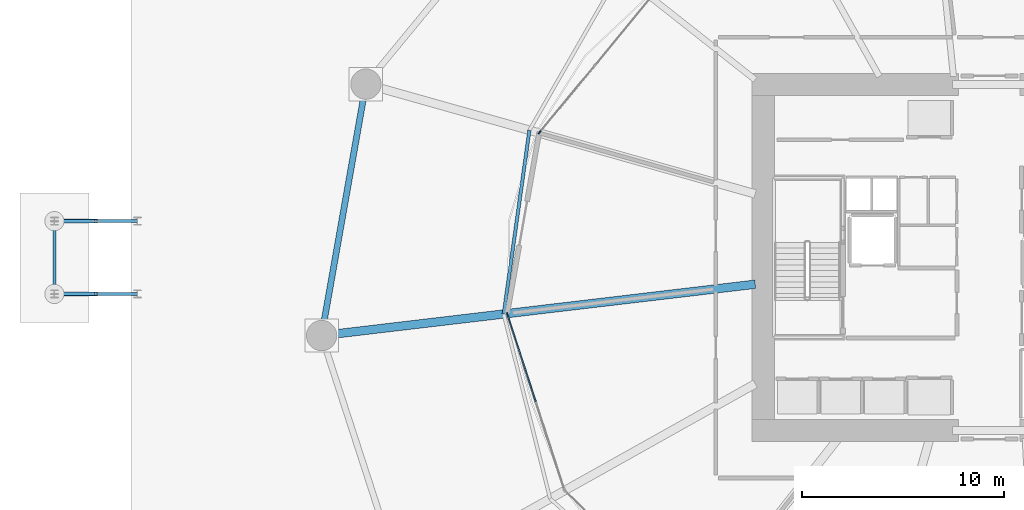
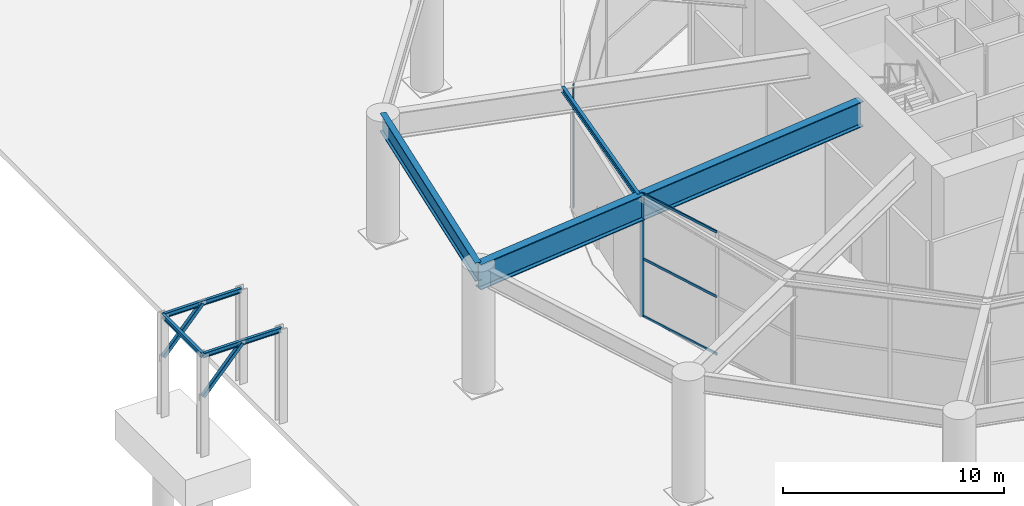
# One storey, part 9 of 28: 7 members, 6 beams, 2 elements without a shape of their own.
"""IFC4 building model written with IfcOpenShell, lengths in metres."""

from ifc_helpers import new_model, si_unit, direction, frame, origin, origin_2d, place, context, subcontext, project, spatial, rectangle, hollow_rectangle, i_section, extrude, material, layer, layer_set, material_profile, profile_set, type_object, element, aggregate, save


model = new_model("IFC4")

# Units and contexts
model_context = context("Model", 3, precision=1e-05, world=origin(), true_north=direction((0.0, 1.0)))
body_context = subcontext(model_context, "Body", "Model", "MODEL_VIEW")
ifc_project = project(units=[si_unit("LENGTHUNIT", "METRE"), si_unit("AREAUNIT", "SQUARE_METRE"), si_unit("VOLUMEUNIT", "CUBIC_METRE"), si_unit("PLANEANGLEUNIT", "RADIAN"), si_unit("MASSUNIT", "GRAM", prefix="KILO")], contexts=[model_context])

# Site, building, storey
site_placement = place(None, origin())
site = spatial("IfcSite", under=ifc_project, at=site_placement, CompositionType="ELEMENT")
building_placement = place(site_placement, origin())
building = spatial("IfcBuilding", under=site, at=building_placement, Name="Kazma Halo Residences", CompositionType="ELEMENT")
storey_placement = place(building_placement, origin())
storey = spatial("IfcBuildingStorey", under=building, at=storey_placement, Name="L00", CompositionType="ELEMENT", Elevation=0.0)

# Beams
ifc_material_1 = material(Name="Steel S355", Category="steel")
ifc_material_profile_1 = material_profile(ifc_material_1, i_section(OverallWidth=0.14599609375, OverallDepth=0.258056640625, WebThickness=0.006103515625, FlangeThickness=0.009033203125, FilletRadius=0.010009765625, at=origin_2d()), Name="W250x32.7")
ifc_profile_set_1 = profile_set([ifc_material_profile_1], Name="Steel S355")
beam_type_1 = type_object("IfcBeamType", Name="BM-CANOPY-W250", PredefinedType="BEAM", material=ifc_profile_set_1)
beam_1_placement = place(storey_placement, frame((2.199951171875, 40.199951171875, 5.070068359375), z_axis=(0.0, 1.0, 0.0), x_axis=(-1.0, 0.0, 0.0)))
element("IfcBeam", 1, at=beam_1_placement, inside=storey, type_object=beam_type_1, Name="Porte-cochere canopy header 1", PredefinedType="BEAM", context=body_context, shape_type="SweptSolid", body=[
    extrude(i_section(OverallWidth=0.14599609375, OverallDepth=0.258056640625, WebThickness=0.006103515625, FlangeThickness=0.009033203125, FilletRadius=0.010009765625, at=origin_2d()), origin(), (0.0, 0.0, 1.0), 3.60009765625),
])
for number, where, z_axis, x_axis, name in (
    (2, (2.199951171875, 40.199951171875, 5.070068359375), (1.0, 0.0, 0.0), (0.0, 1.0, 0.0), "Porte-cochere canopy arm 1.1"),
    (3, (2.199951171875, 43.800048828125, 5.070068359375), (1.0, 0.0, 0.0), (0.0, 1.0, 0.0), "Porte-cochere canopy arm 1.2"),
):
    element("IfcBeam", number, at=place(storey_placement, frame(where, z_axis=z_axis, x_axis=x_axis)), inside=storey, type_object=beam_type_1, Name=name, PredefinedType="BEAM", context=body_context, shape_type="SweptSolid", body=[
        extrude(i_section(OverallWidth=0.14599609375, OverallDepth=0.258056640625, WebThickness=0.006103515625, FlangeThickness=0.009033203125, FilletRadius=0.010009765625, at=origin_2d()), origin(), (0.0, 0.0, 1.0), 4.10009765625),
    ])
ifc_material_profile_2 = material_profile(ifc_material_1, i_section(OverallWidth=0.1650390625, OverallDepth=0.31005859375, WebThickness=0.005859375, FlangeThickness=0.009765625, FilletRadius=0.011962890625, at=origin_2d()), Name="W310x38.7")
ifc_profile_set_2 = profile_set([ifc_material_profile_2], Name="Steel S355")
beam_type_2 = type_object("IfcBeamType", Name="BM-SEC-W310B", PredefinedType="JOIST", material=ifc_profile_set_2)
beam_2_placement = place(storey_placement, frame((25.686279296875, 48.293212890625, 6.64501953125), z_axis=(-0.138581542975, -0.99035102663, 0.0), x_axis=(0.99035102663, -0.138581542975, 0.0)))
element("IfcBeam", 4, at=beam_2_placement, inside=storey, type_object=beam_type_2, Name="L00 circumferential floor joist 07", PredefinedType="JOIST", context=body_context, shape_type="SweptSolid", body=[
    extrude(i_section(OverallWidth=0.1650390625, OverallDepth=0.31005859375, WebThickness=0.005859375, FlangeThickness=0.009765625, FilletRadius=0.011962890625, at=origin_2d()), origin(), (0.0, 0.0, 1.0), 9.17333984375),
])
ifc_material_profile_3 = material_profile(ifc_material_1, i_section(OverallWidth=0.419921875, OverallDepth=1.39990234375, WebThickness=0.02587890625, FlangeThickness=0.048095703125, FilletRadius=0.02392578125, at=origin_2d()), Name="PG1400x580")
ifc_profile_set_3 = profile_set([ifc_material_profile_3], Name="Steel S355")
beam_type_3 = type_object("IfcBeamType", Name="BM-TRANS-PG1400", PredefinedType="BEAM", material=ifc_profile_set_3)
beam_3_placement = place(storey_placement, frame((36.85009765625, 40.680419921875, 6.10009765625), z_axis=(-0.993068228459, -0.117539327996, 0.0), x_axis=(0.117539327996, -0.993068228459, 0.0)))
element("IfcBeam", 5, at=beam_3_placement, inside=storey, type_object=beam_type_3, Name="L00 lobe radial plate transfer girder 08", PredefinedType="BEAM", context=body_context, shape_type="SweptSolid", body=[
    extrude(i_section(OverallWidth=0.419921875, OverallDepth=1.39990234375, WebThickness=0.02587890625, FlangeThickness=0.048095703125, FilletRadius=0.02392578125, at=origin_2d()), origin(), (0.0, 0.0, 1.0), 21.58935546875),
])
ifc_material_profile_4 = material_profile(ifc_material_1, i_section(OverallWidth=0.300048828125, OverallDepth=1.0, WebThickness=0.01904296875, FlangeThickness=0.0400390625, FilletRadius=0.02587890625, at=origin_2d()), Name="W1000x371")
ifc_profile_set_4 = profile_set([ifc_material_profile_4], Name="Steel S355")
beam_type_4 = type_object("IfcBeamType", Name="BM-TRANS-W1000B", PredefinedType="BEAM", material=ifc_profile_set_4)
beam_4_placement = place(storey_placement, frame((17.602294921875, 50.572998046875, 6.300048828125), z_axis=(-0.173657334149, -0.984806138434, 0.0), x_axis=(0.984806138434, -0.173657334149, 0.0)))
element("IfcBeam", 6, at=beam_4_placement, inside=storey, type_object=beam_type_4, Name="L00 perimeter ring beam 07", PredefinedType="BEAM", context=body_context, shape_type="SweptSolid", body=[
    extrude(i_section(OverallWidth=0.300048828125, OverallDepth=1.0, WebThickness=0.01904296875, FlangeThickness=0.0400390625, FilletRadius=0.02587890625, at=origin_2d()), origin(), (0.0, 0.0, 1.0), 12.6220703125),
])

# Curtain wall, member
ifc_material_2 = material(Name="Aluminium AW-6063 T6 and Triple-Silver Low-E Glass", Category="aluminium")
ifc_layer = layer(ifc_material_2, 0.179931640625)
ifc_layer_set = layer_set([ifc_layer], Name="Aluminium AW-6063 T6 and Triple-Silver Low-E Glass")
curtain_wall_type = type_object("IfcCurtainWallType", Name="CW-SYS-1", PredefinedType="NOTDEFINED", material=ifc_layer_set)
curtain_wall_1_placement = place(storey_placement, origin())
curtain_wall_1 = element("IfcCurtainWall", 7, at=curtain_wall_1_placement, inside=storey, type_object=curtain_wall_type, Name="L00 lobby unitised curtain wall 06", PredefinedType="NOTDEFINED")
ifc_material_3 = material(Name="Aluminium AW-6063 T6", Category="aluminium")
ifc_material_profile_5 = material_profile(ifc_material_3, rectangle(XDim=0.06494140625, YDim=0.179931640625, at=origin_2d()), Name="CWM-65x180")
ifc_profile_set_5 = profile_set([ifc_material_profile_5], Name="Aluminium AW-6063 T6")
member_type_1 = type_object("IfcMemberType", Name="CW-SYS-1-MUL", PredefinedType="MULLION", material=ifc_profile_set_5)
member_1_placement = place(storey_placement, frame((26.186279296875, 48.18310546875, 0.0), z_axis=(0.0, 0.0, 1.0), x_axis=(0.770944051001, -0.636902873463, 0.0)))
member_1 = element("IfcMember", 8, at=member_1_placement, type_object=member_type_1, Name="CWS-1 mullion 3", PredefinedType="MULLION", context=body_context, shape_type="SweptSolid", body=[
    extrude(rectangle(XDim=0.06494140625, YDim=0.179931640625, at=origin_2d()), origin(), (0.0, 0.0, 1.0), 6.800048828125),
])
aggregate(curtain_wall_1, [member_1])

# Curtain wall, members
curtain_wall_2_placement = place(storey_placement, origin())
curtain_wall_2 = element("IfcCurtainWall", 9, at=curtain_wall_2_placement, inside=storey, type_object=curtain_wall_type, Name="L00 lobby unitised curtain wall 08", PredefinedType="NOTDEFINED")
member_2_placement = place(storey_placement, frame((24.596435546875, 39.197998046875, 0.0), z_axis=(0.0, 0.0, 1.0), x_axis=(0.951057232628, 0.309014789719, 0.0)))
member_2 = element("IfcMember", 10, at=member_2_placement, type_object=member_type_1, Name="CWS-1 mullion 1", PredefinedType="MULLION", context=body_context, shape_type="SweptSolid", body=[
    extrude(rectangle(XDim=0.06494140625, YDim=0.179931640625, at=origin_2d()), origin(), (0.0, 0.0, 1.0), 6.800048828125),
])
ifc_material_profile_6 = material_profile(ifc_material_3, rectangle(XDim=0.06494140625, YDim=0.135009765625, at=origin_2d()), Name="CWT-65x135")
ifc_profile_set_6 = profile_set([ifc_material_profile_6], Name="Aluminium AW-6063 T6")
member_type_2 = type_object("IfcMemberType", Name="CW-SYS-1-TRN", PredefinedType="USERDEFINED", material=ifc_profile_set_6)
member_3_placement = place(storey_placement, frame((24.6064453125, 39.1669921875, 0.032470703125), z_axis=(0.309044381908, -0.95104761711, 0.0), x_axis=(0.95104761711, 0.309044381908, 0.0)))
member_3 = element("IfcMember", 11, at=member_3_placement, type_object=member_type_2, Name="CWS-1 transom 1.1", ObjectType="TRANSOM", PredefinedType="USERDEFINED", context=body_context, shape_type="SweptSolid", body=[
    extrude(rectangle(XDim=0.06494140625, YDim=0.135009765625, at=origin_2d()), origin(), (0.0, 0.0, 1.0), 4.502197265625),
])
member_4_placement = place(storey_placement, frame((24.6064453125, 39.1669921875, 3.199951171875), z_axis=(0.309044381908, -0.95104761711, 0.0), x_axis=(0.95104761711, 0.309044381908, 0.0)))
member_4 = element("IfcMember", 12, at=member_4_placement, type_object=member_type_2, Name="CWS-1 transom 1.2", ObjectType="TRANSOM", PredefinedType="USERDEFINED", context=body_context, shape_type="SweptSolid", body=[
    extrude(rectangle(XDim=0.06494140625, YDim=0.135009765625, at=origin_2d()), origin(), (0.0, 0.0, 1.0), 4.502197265625),
])
member_5_placement = place(storey_placement, frame((24.6064453125, 39.1669921875, 6.767578125), z_axis=(0.309044381908, -0.95104761711, 0.0), x_axis=(0.95104761711, 0.309044381908, 0.0)))
member_5 = element("IfcMember", 13, at=member_5_placement, type_object=member_type_2, Name="CWS-1 transom 1.3", ObjectType="TRANSOM", PredefinedType="USERDEFINED", context=body_context, shape_type="SweptSolid", body=[
    extrude(rectangle(XDim=0.06494140625, YDim=0.135009765625, at=origin_2d()), origin(), (0.0, 0.0, 1.0), 4.502197265625),
])
aggregate(curtain_wall_2, [member_2, member_3, member_4, member_5])

# Members
ifc_material_profile_7 = material_profile(ifc_material_1, hollow_rectangle(XDim=0.199951171875, YDim=0.199951171875, WallThickness=0.010009765625, InnerFilletRadius=0.010009765625, OuterFilletRadius=0.02001953125, at=origin_2d()), Name="SHS200x200x10")
ifc_profile_set_7 = profile_set([ifc_material_profile_7], Name="Steel S355")
member_type_3 = type_object("IfcMemberType", Name="MBR-CAN-SHS200", PredefinedType="STRUT", material=ifc_profile_set_7)
for number, where, z_axis, x_axis, name in (
    (14, (2.199951171875, 40.199951171875, 2.800048828125), (0.670233791236, 0.0, 0.74215002869), (0.0, 1.0, 0.0), "Porte-cochere canopy strut 1.1"),
    (15, (2.199951171875, 43.800048828125, 2.800048828125), (0.670233791236, 0.0, 0.74215002869), (0.0, 1.0, 0.0), "Porte-cochere canopy strut 1.2"),
):
    element("IfcMember", number, at=place(storey_placement, frame(where, z_axis=z_axis, x_axis=x_axis)), inside=storey, type_object=member_type_3, Name=name, PredefinedType="STRUT", context=body_context, shape_type="SweptSolid", body=[
        extrude(hollow_rectangle(XDim=0.199951171875, YDim=0.199951171875, WallThickness=0.010009765625, InnerFilletRadius=0.010009765625, OuterFilletRadius=0.02001953125, at=origin_2d()), origin(), (0.0, 0.0, 1.0), 3.05859375),
    ])

save(model, "model.ifc")
